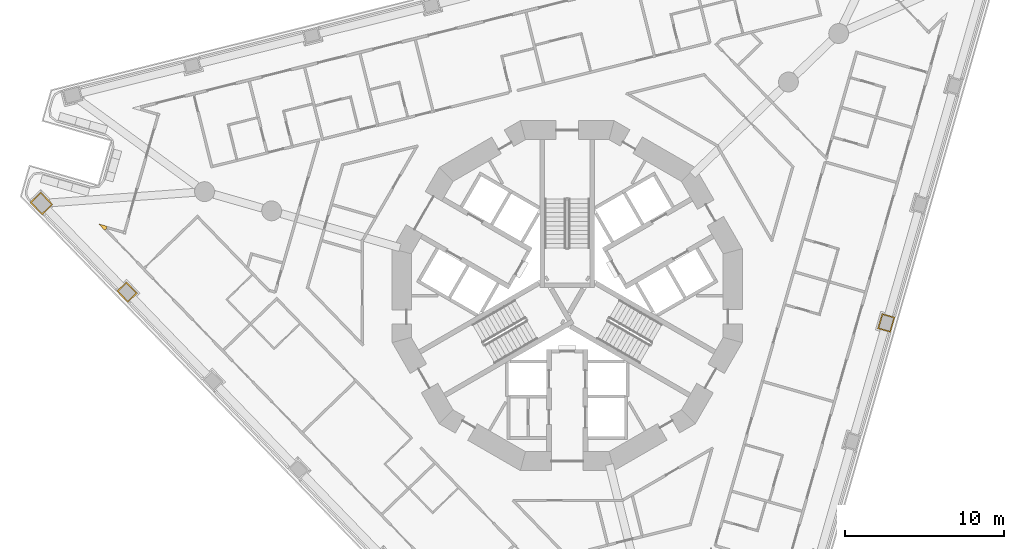
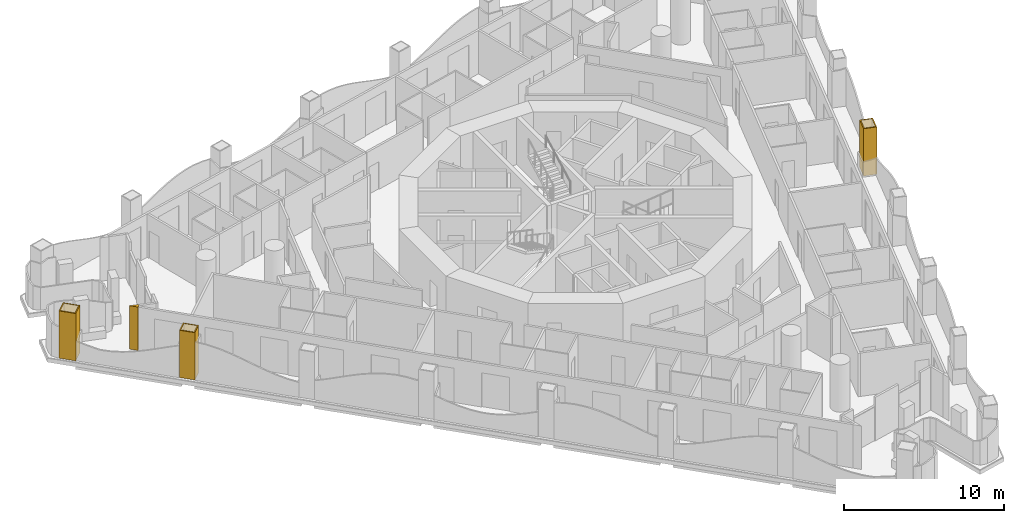
# One storey, part 14 of 18: 4 coverings.
"""IFC4 building model written with IfcOpenShell, lengths in metres."""

import ifcopenshell
import ifcopenshell.guid

model = None  # the IFC model being written
_history = None  # IfcOwnerHistory: only IFC2X3 demands one
_inside = {}  # id of a spatial element -> (the spatial element, [elements in it])
_under = {}  # id of a project, library or spatial element -> (it, [spatial elements below it])
_declared = {}  # id of a project -> (the project, [libraries it declares])
_typed = {}  # id of a type object -> (the type object, [elements of that type])
_made_of = {}  # id of a material, layer set ... -> (it, [elements and type objects made of it])


def new_model(schema):
    """Start an empty IFC model of exactly this schema.

    Asked for "IFC4X3", IfcOpenShell would pick the latest addendum, in which some entities
    have other attributes; the version numbers below select the first issue.
    IFC2X3 requires an IfcOwnerHistory on every rooted entity: one is made here for all.
    """
    global model, _history
    if schema == "IFC4X3":
        model = ifcopenshell.file(schema_version=(4, 3, 0, 0))
    else:
        model = ifcopenshell.file(schema=schema)
    _inside.clear()
    _under.clear()
    _declared.clear()
    _typed.clear()
    _made_of.clear()
    _history = None
    if model.schema == "IFC2X3":
        org = make("IfcOrganization", Name="unknown")
        user = make(
            "IfcPersonAndOrganization",
            ThePerson=make("IfcPerson", FamilyName="unknown"),
            TheOrganization=org,
        )
        app = make(
            "IfcApplication",
            ApplicationDeveloper=org,
            Version="unknown",
            ApplicationFullName="unknown",
            ApplicationIdentifier="unknown",
        )
        _history = make(
            "IfcOwnerHistory",
            OwningUser=user,
            OwningApplication=app,
            ChangeAction="ADDED",
            CreationDate=0,
        )
    return model


def make(cls, **values):
    """One entity of the class cls with the attributes given. An attribute that is None is left unset."""
    return model.create_entity(
        cls, **{name: value for name, value in values.items() if value is not None}
    )


def rooted(cls, **values):
    """An entity with a GlobalId (a new one), such as an element, a storey or a relation."""
    return make(cls, GlobalId=ifcopenshell.guid.new(), OwnerHistory=_history, **values)


def si_unit(unit_type, name, prefix=None):
    """IfcSIUnit, for example si_unit("LENGTHUNIT", "METRE", prefix="MILLI")."""
    return make("IfcSIUnit", UnitType=unit_type, Prefix=prefix, Name=name)


def assignment(units):
    """IfcUnitAssignment: the units of a project."""
    return None if units is None else make("IfcUnitAssignment", Units=units)


def point(xyz):
    """IfcCartesianPoint."""
    return None if xyz is None else make("IfcCartesianPoint", Coordinates=xyz)


def direction(xyz):
    """IfcDirection."""
    return None if xyz is None else make("IfcDirection", DirectionRatios=xyz)


def frame(location, z_axis=None, x_axis=None):
    """IfcAxis2Placement3D, a coordinate frame: its origin and axes. An axis left out is left unset."""
    return make(
        "IfcAxis2Placement3D",
        Location=point(location),
        Axis=direction(z_axis),
        RefDirection=direction(x_axis),
    )


def origin():
    """The frame at (0, 0, 0) with its axes left unset."""
    return frame((0.0, 0.0, 0.0))


def place(relative_to, where):
    """IfcLocalPlacement: puts the frame where relative to a parent placement (None: the world)."""
    return make(
        "IfcLocalPlacement", PlacementRelTo=relative_to, RelativePlacement=where
    )


def context(
    kind, dimensions, precision=None, world=None, true_north=None, identifier=None
):
    """IfcGeometricRepresentationContext, for example the 3D "Model" context."""
    return make(
        "IfcGeometricRepresentationContext",
        ContextIdentifier=identifier,
        ContextType=kind,
        CoordinateSpaceDimension=dimensions,
        Precision=precision,
        WorldCoordinateSystem=world,
        TrueNorth=true_north,
    )


def subcontext(parent, identifier, kind, view, scale=None):
    """IfcGeometricRepresentationSubContext, for example "Body" below "Model"."""
    return make(
        "IfcGeometricRepresentationSubContext",
        ContextIdentifier=identifier,
        ContextType=kind,
        ParentContext=parent,
        TargetScale=scale,
        TargetView=view,
    )


def project(units=None, contexts=None):
    """IfcProject with its units and contexts."""
    return rooted(
        "IfcProject",
        Name="project",
        RepresentationContexts=contexts,
        UnitsInContext=assignment(units),
    )


def spatial(cls, under=None, at=None, **own):
    """A site, building, storey or space (cls), placed at a placement, below another one or the project."""
    s = rooted(cls, ObjectPlacement=at, **own)
    if under is not None:
        _under.setdefault(under.id(), (under, []))[1].append(s)
    return s


def polyline(points):
    """IfcPolyline through the points."""
    return make("IfcPolyline", Points=[point(p) for p in points])


def outline(outer, holes=None, kind="AREA"):
    """IfcArbitraryClosedProfileDef: a profile drawn as a closed curve; with holes, ...WithVoids."""
    if holes is None:
        return make("IfcArbitraryClosedProfileDef", ProfileType=kind, OuterCurve=outer)
    return make(
        "IfcArbitraryProfileDefWithVoids",
        ProfileType=kind,
        OuterCurve=outer,
        InnerCurves=holes,
    )


def extrude(swept, where, along, depth):
    """IfcExtrudedAreaSolid: the profile swept, set in the frame where, extruded along a direction by depth."""
    return make(
        "IfcExtrudedAreaSolid",
        SweptArea=swept,
        Position=where,
        ExtrudedDirection=direction(along),
        Depth=depth,
    )


def shape(context_of_items, identifier, shape_type, items):
    """IfcShapeRepresentation: the items that make up one representation, for example the "Body"."""
    return make(
        "IfcShapeRepresentation",
        ContextOfItems=context_of_items,
        RepresentationIdentifier=identifier,
        RepresentationType=shape_type,
        Items=items,
    )


def material(Name=None, Category=None):
    """IfcMaterial."""
    return make("IfcMaterial", Name=Name, Category=Category)


def layer(
    of_material, thickness, ventilated=None, Name=None, Category=None, Priority=None
):
    """IfcMaterialLayer: one layer of a wall or slab, of a material (None: an air gap)."""
    return make(
        "IfcMaterialLayer",
        Material=of_material,
        LayerThickness=thickness,
        IsVentilated=ventilated,
        Name=Name,
        Category=Category,
        Priority=Priority,
    )


def layer_set(layers, Name=None):
    """IfcMaterialLayerSet."""
    return make("IfcMaterialLayerSet", MaterialLayers=layers, LayerSetName=Name)


def made_of(thing, what):
    """Note that an element or type object is made of a material, layer set ...; save() writes the relation."""
    if what is not None:
        _made_of.setdefault(what.id(), (what, []))[1].append(thing)
    return thing


def type_object(cls, material=None, **own):
    """A type object (cls), such as IfcWallType, which elements share."""
    return made_of(rooted(cls, **own), material)


def element(
    cls,
    number,
    at=None,
    inside=None,
    cuts=None,
    type_object=None,
    material=None,
    context=None,
    identifier="Body",
    shape_type=None,
    held_by="IfcProductDefinitionShape",
    body=None,
    shapes=None,
    **own,
):
    """One element of the class cls, such as IfcWall. Its Tag is "e" and its number.

    at: its placement. inside: the storey or other place that contains it. cuts: it is an
    opening in that element (IfcRelVoidsElement). A single representation is given by context,
    identifier, shape_type and body (its items); several are given by shapes. held_by: the class
    of the entity that holds the representations. save() writes the other relations.
    """
    e = rooted(cls, Tag="e%d" % number, ObjectPlacement=at, **own)
    if body is not None:
        shapes = [shape(context, identifier, shape_type, body)]
    if shapes is not None:
        e.Representation = make(held_by, Representations=shapes)
    if inside is not None:
        _inside.setdefault(inside.id(), (inside, []))[1].append(e)
    if cuts is not None:
        rooted(
            "IfcRelVoidsElement", RelatingBuildingElement=cuts, RelatedOpeningElement=e
        )
    if type_object is not None:
        _typed.setdefault(type_object.id(), (type_object, []))[1].append(e)
    return made_of(e, material)


def aggregate(whole, parts):
    """IfcRelAggregates: a whole, such as a stair, and the parts it consists of."""
    return rooted("IfcRelAggregates", RelatingObject=whole, RelatedObjects=parts)


def save(model, path):
    """Write the relations noted so far, then the file.

    IfcRelAggregates (storeys below a building ...), IfcRelContainedInSpatialStructure (elements
    in a storey), IfcRelDefinesByType, IfcRelAssociatesMaterial and IfcRelDeclares: one each for
    every whole, place, type object, material and project.
    """
    for whole, parts in _under.values():
        aggregate(whole, parts)
    for where, things in _inside.values():
        rooted(
            "IfcRelContainedInSpatialStructure",
            RelatedElements=things,
            RelatingStructure=where,
        )
    for kind, things in _typed.values():
        rooted("IfcRelDefinesByType", RelatedObjects=things, RelatingType=kind)
    for what, things in _made_of.values():
        rooted("IfcRelAssociatesMaterial", RelatedObjects=things, RelatingMaterial=what)
    for by, libraries in _declared.values():
        rooted("IfcRelDeclares", RelatingContext=by, RelatedDefinitions=libraries)
    model.write(path)


model = new_model("IFC4")

# Units and contexts
model_context = context("Model", 3, precision=1e-05, world=origin(), true_north=direction((0.0, 1.0)))
body_context = subcontext(model_context, "Body", "Model", "MODEL_VIEW")
ifc_project = project(units=[si_unit("LENGTHUNIT", "METRE"), si_unit("AREAUNIT", "SQUARE_METRE"), si_unit("VOLUMEUNIT", "CUBIC_METRE"), si_unit("PLANEANGLEUNIT", "RADIAN"), si_unit("MASSUNIT", "GRAM", prefix="KILO")], contexts=[model_context])

# Site, building, storey
site_placement = place(None, origin())
site = spatial("IfcSite", under=ifc_project, at=site_placement, CompositionType="ELEMENT")
building_placement = place(site_placement, origin())
building = spatial("IfcBuilding", under=site, at=building_placement, Name="Trine Commons Tower", CompositionType="ELEMENT")
storey_placement = place(building_placement, frame((0.0, 0.0, 94.5)))
storey = spatial("IfcBuildingStorey", under=building, at=storey_placement, Name="L23", CompositionType="ELEMENT", Elevation=94.5)

# Coverings
ifc_material_1 = material(Name="Aluminium-framed insulated wall panel", Category="aluminium")
ifc_layer_1 = layer(ifc_material_1, 0.14990234375)
ifc_layer_set_1 = layer_set([ifc_layer_1], Name="Aluminium-framed insulated wall panel")
covering_type_1 = type_object("IfcCoveringType", Name="Glazing corner post, aluminium", PredefinedType="CLADDING", material=ifc_layer_set_1)
covering_1_placement = place(storey_placement, origin())
element("IfcCovering", 1, at=covering_1_placement, inside=storey, type_object=covering_type_1, Name="Glazing corner post 3-01", PredefinedType="CLADDING", context=body_context, shape_type="SweptSolid", body=[
    extrude(outline(polyline([(50.897216796875, 66.611083984375), (51.005126953125, 66.71533203125), (51.04638671875, 66.859619140625), (50.50830078125, 67.013916015625), (50.897216796875, 66.611083984375)])), origin(), (0.0, 0.0, 1.0), 3.300048828125),
])
ifc_material_2 = material(Name="Limestone, honed", Category="masonry")
ifc_layer_2 = layer(ifc_material_2, 0.074951171875)
ifc_layer_set_2 = layer_set([ifc_layer_2], Name="Limestone, honed")
covering_type_2 = type_object("IfcCoveringType", Name="Limestone column cladding 75", PredefinedType="CLADDING", material=ifc_layer_set_2)
covering_2_placement = place(storey_placement, origin())
element("IfcCovering", 2, at=covering_2_placement, inside=storey, type_object=covering_type_2, Name="Limestone pier cladding 3-07", PredefinedType="CLADDING", context=body_context, shape_type="SweptSolid", body=[
    extrude(outline(polyline([(52.265380859375, 63.373291015625), (51.654052734375, 62.78271484375), (52.3486328125, 62.0634765625), (52.960205078125, 62.65380859375), (52.265380859375, 63.373291015625)]), holes=[polyline([(52.263671875, 63.26708984375), (51.760009765625, 62.781005859375), (52.3505859375, 62.16943359375), (52.85400390625, 62.65576171875), (52.263671875, 63.26708984375)])]), origin(), (0.0, 0.0, 1.0), 3.60009765625),
])
covering_3_placement = place(storey_placement, origin())
element("IfcCovering", 3, at=covering_3_placement, inside=storey, type_object=covering_type_2, Name="Limestone pier cladding 3-08", PredefinedType="CLADDING", context=body_context, shape_type="SweptSolid", body=[
    extrude(outline(polyline([(46.877685546875, 69.0244140625), (46.194580078125, 68.364501953125), (46.95849609375, 67.572998046875), (47.641845703125, 68.23291015625), (46.877685546875, 69.0244140625)]), holes=[polyline([(46.8759765625, 68.918212890625), (46.300537109375, 68.362548828125), (46.96044921875, 67.67919921875), (47.535888671875, 68.23486328125), (46.8759765625, 68.918212890625)])]), origin(), (0.0, 0.0, 1.0), 3.60009765625),
])
covering_4_placement = place(storey_placement, origin())
element("IfcCovering", 4, at=covering_4_placement, inside=storey, type_object=covering_type_2, Name="Limestone pier cladding 3-20", PredefinedType="CLADDING", context=body_context, shape_type="SweptSolid", body=[
    extrude(outline(polyline([(100.61865234375, 61.14306640625), (99.801513671875, 61.377197265625), (99.52587890625, 60.416015625), (100.343017578125, 60.181640625), (100.61865234375, 61.14306640625)]), holes=[polyline([(100.52587890625, 61.091552734375), (99.85302734375, 61.284423828125), (99.61865234375, 60.46728515625), (100.29150390625, 60.2744140625), (100.52587890625, 61.091552734375)])]), origin(), (0.0, 0.0, 1.0), 3.60009765625),
])

save(model, "model.ifc")
